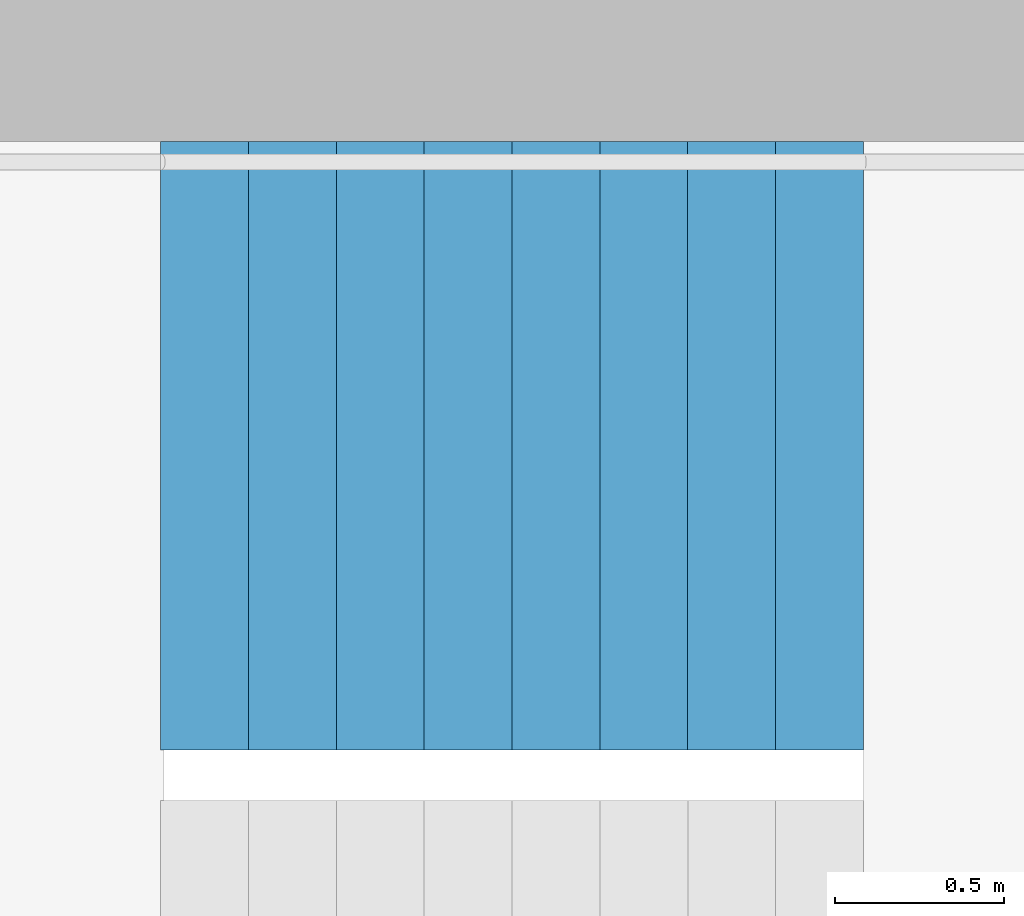
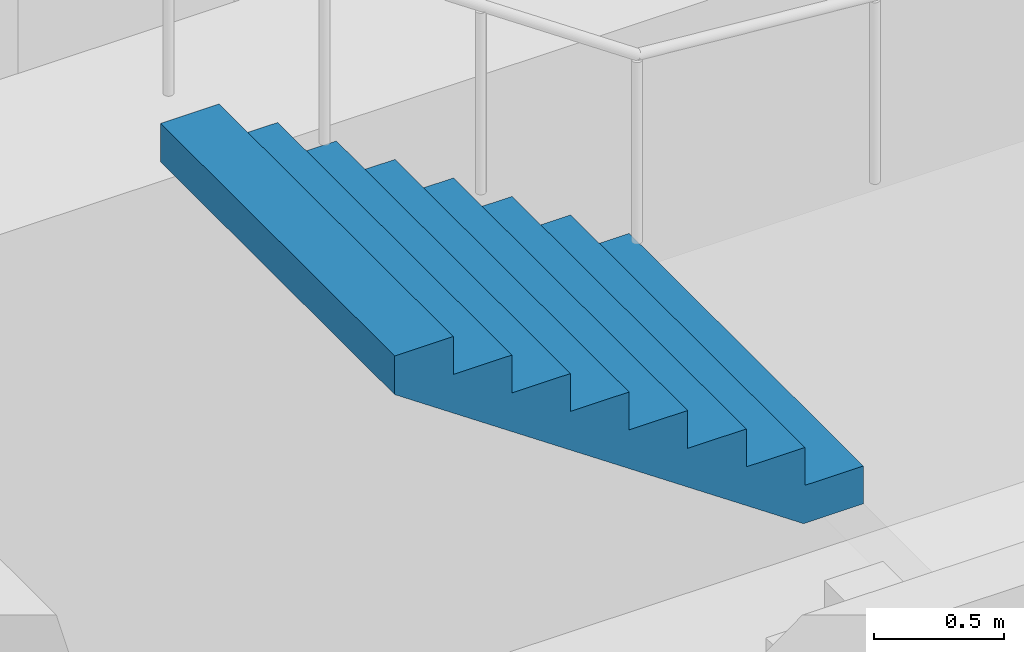
# One storey, part 21 of 26: 1 stair flight, 1 element without a shape of its own.
"""IFC4 building model written with IfcOpenShell, lengths in metres."""

from ifc_helpers import new_model, si_unit, direction, frame, origin, place, context, subcontext, project, spatial, triangles, material, type_object, element, aggregate, save


model = new_model("IFC4")

# Units and contexts
model_context = context("Model", 3, precision=1e-05, world=origin(), true_north=direction((0.0, 1.0)))
body_context = subcontext(model_context, "Body", "Model", "MODEL_VIEW")
ifc_project = project(units=[si_unit("LENGTHUNIT", "METRE"), si_unit("AREAUNIT", "SQUARE_METRE"), si_unit("VOLUMEUNIT", "CUBIC_METRE"), si_unit("PLANEANGLEUNIT", "RADIAN"), si_unit("MASSUNIT", "GRAM", prefix="KILO")], contexts=[model_context])

# Site, building, storey
site_placement = place(None, origin())
site = spatial("IfcSite", under=ifc_project, at=site_placement, CompositionType="ELEMENT")
building_placement = place(site_placement, origin())
building = spatial("IfcBuilding", under=site, at=building_placement, Name="Hakoniwa Tower and Hamabe Station Hall", CompositionType="ELEMENT")
storey_placement = place(building_placement, frame((0.0, 0.0, 209.0)))
storey = spatial("IfcBuildingStorey", under=building, at=storey_placement, Name="L59", CompositionType="ELEMENT", Elevation=209.0)

# Stair, stair flight
ifc_material_1 = material(Name="Concrete C40", Category="concrete")
stair_type = type_object("IfcStairType", Name="ESCAPE STAIR 1800", PredefinedType="HALF_TURN_STAIR", material=ifc_material_1)
stair_placement = place(storey_placement, origin())
stair = element("IfcStair", 1, at=stair_placement, inside=storey, type_object=stair_type, Name="Escape stair ST-1 L59", PredefinedType="HALF_TURN_STAIR")
ifc_material_2 = material(Name="Concrete C40", Category="concrete")
stair_flight_type = type_object("IfcStairFlightType", Name="STAIR FLIGHT 1800", PredefinedType="STRAIGHT", material=ifc_material_2)
stair_flight_placement = place(storey_placement, frame((-22.320068359375, 6.60009765625, 1.60009765625), z_axis=(0.0, 0.0, 1.0), x_axis=(-1.0, 0.0, 0.0)))
stair_flight = element("IfcStairFlight", 2, at=stair_flight_placement, type_object=stair_flight_type, Name="ST-1 flight 2", NumberOfRisers=9, NumberOfTreads=8, PredefinedType="STRAIGHT", RiserHeight=0.177777778, TreadLength=0.26, context=body_context, shape_type="Tessellation", body=[
    triangles([(0.0, 0.89990234375, 0.0), (0.260009765625, 0.89990234375, 0.0), (0.265625, 0.89990234375, 0.0), (0.52001953125, 0.89990234375, 0.174072265625), (0.780029296875, 0.89990234375, 0.351806640625), (1.0400390625, 0.89990234375, 0.529541015625), (1.300048828125, 0.89990234375, 0.707275390625), (1.56005859375, 0.89990234375, 0.885009765625), (1.820068359375, 0.89990234375, 1.062744140625), (2.080078125, 0.89990234375, 1.24072265625), (2.080078125, 0.89990234375, 1.422119140625), (1.820068359375, 0.89990234375, 1.422119140625), (1.820068359375, 0.89990234375, 1.244384765625), (1.56005859375, 0.89990234375, 1.244384765625), (1.56005859375, 0.89990234375, 1.066650390625), (1.300048828125, 0.89990234375, 1.066650390625), (1.300048828125, 0.89990234375, 0.888916015625), (1.0400390625, 0.89990234375, 0.888916015625), (1.0400390625, 0.89990234375, 0.711181640625), (0.780029296875, 0.89990234375, 0.711181640625), (0.780029296875, 0.89990234375, 0.533447265625), (0.52001953125, 0.89990234375, 0.533447265625), (0.52001953125, 0.89990234375, 0.35546875), (0.265625, 0.89990234375, 0.35546875), (0.260009765625, 0.89990234375, 0.35546875), (0.260009765625, 0.89990234375, 0.177734375), (0.0, 0.89990234375, 0.177734375), (0.0, 0.06005859375, 0.0), (0.260009765625, 0.06005859375, 0.0), (0.265625, 0.06005859375, 0.0), (0.52001953125, 0.06005859375, 0.174072265625), (0.780029296875, 0.06005859375, 0.351806640625), (1.0400390625, 0.06005859375, 0.529541015625), (1.300048828125, 0.06005859375, 0.707275390625), (1.56005859375, 0.06005859375, 0.885009765625), (1.820068359375, 0.06005859375, 1.062744140625), (2.080078125, 0.06005859375, 1.24072265625), (2.080078125, 0.06005859375, 1.422119140625), (1.820068359375, 0.06005859375, 1.422119140625), (1.820068359375, 0.06005859375, 1.244384765625), (1.56005859375, 0.06005859375, 1.244384765625), (1.56005859375, 0.06005859375, 1.066650390625), (1.300048828125, 0.06005859375, 1.066650390625), (1.300048828125, 0.06005859375, 0.888916015625), (1.0400390625, 0.06005859375, 0.888916015625), (1.0400390625, 0.06005859375, 0.711181640625), (0.780029296875, 0.06005859375, 0.711181640625), (0.780029296875, 0.06005859375, 0.533447265625), (0.52001953125, 0.06005859375, 0.533447265625), (0.52001953125, 0.06005859375, 0.35546875), (0.265625, 0.06005859375, 0.35546875), (0.260009765625, 0.06005859375, 0.35546875), (0.260009765625, 0.06005859375, 0.177734375), (0.0, 0.06005859375, 0.177734375), (0.0, 0.04296875, 0.0), (0.260009765625, 0.04296875, 0.0), (0.265625, 0.04296875, 0.0), (0.52001953125, 0.04296875, 0.174072265625), (0.780029296875, 0.04296875, 0.351806640625), (1.0400390625, 0.04296875, 0.529541015625), (1.300048828125, 0.04296875, 0.707275390625), (1.56005859375, 0.04296875, 0.885009765625), (1.820068359375, 0.04296875, 1.062744140625), (2.080078125, 0.04296875, 1.24072265625), (2.080078125, 0.04296875, 1.422119140625), (1.820068359375, 0.04296875, 1.422119140625), (1.820068359375, 0.04296875, 1.244384765625), (1.56005859375, 0.04296875, 1.244384765625), (1.56005859375, 0.04296875, 1.066650390625), (1.300048828125, 0.04296875, 1.066650390625), (1.300048828125, 0.04296875, 0.888916015625), (1.0400390625, 0.04296875, 0.888916015625), (1.0400390625, 0.04296875, 0.711181640625), (0.780029296875, 0.04296875, 0.711181640625), (0.780029296875, 0.04296875, 0.533447265625), (0.52001953125, 0.04296875, 0.533447265625), (0.52001953125, 0.04296875, 0.35546875), (0.265625, 0.04296875, 0.35546875), (0.260009765625, 0.04296875, 0.35546875), (0.260009765625, 0.04296875, 0.177734375), (0.0, 0.04296875, 0.177734375), (0.0, 0.025634765625, 0.0), (0.260009765625, 0.025634765625, 0.0), (0.265625, 0.025634765625, 0.0), (0.52001953125, 0.025634765625, 0.174072265625), (0.780029296875, 0.025634765625, 0.351806640625), (1.0400390625, 0.025634765625, 0.529541015625), (1.300048828125, 0.025634765625, 0.707275390625), (1.56005859375, 0.025634765625, 0.885009765625), (1.820068359375, 0.025634765625, 1.062744140625), (2.080078125, 0.025634765625, 1.24072265625), (2.080078125, 0.025634765625, 1.422119140625), (1.820068359375, 0.025634765625, 1.422119140625), (1.820068359375, 0.025634765625, 1.244384765625), (1.56005859375, 0.025634765625, 1.244384765625), (1.56005859375, 0.025634765625, 1.066650390625), (1.300048828125, 0.025634765625, 1.066650390625), (1.300048828125, 0.025634765625, 0.888916015625), (1.0400390625, 0.025634765625, 0.888916015625), (1.0400390625, 0.025634765625, 0.711181640625), (0.780029296875, 0.025634765625, 0.711181640625), (0.780029296875, 0.025634765625, 0.533447265625), (0.52001953125, 0.025634765625, 0.533447265625), (0.52001953125, 0.025634765625, 0.35546875), (0.265625, 0.025634765625, 0.35546875), (0.260009765625, 0.025634765625, 0.35546875), (0.260009765625, 0.025634765625, 0.177734375), (0.0, 0.025634765625, 0.177734375), (0.0, 0.008544921875, 0.0), (0.260009765625, 0.008544921875, 0.0), (0.265625, 0.008544921875, 0.0), (0.52001953125, 0.008544921875, 0.174072265625), (0.780029296875, 0.008544921875, 0.351806640625), (1.0400390625, 0.008544921875, 0.529541015625), (1.300048828125, 0.008544921875, 0.707275390625), (1.56005859375, 0.008544921875, 0.885009765625), (1.820068359375, 0.008544921875, 1.062744140625), (2.080078125, 0.008544921875, 1.24072265625), (2.080078125, 0.008544921875, 1.422119140625), (1.820068359375, 0.008544921875, 1.422119140625), (1.820068359375, 0.008544921875, 1.244384765625), (1.56005859375, 0.008544921875, 1.244384765625), (1.56005859375, 0.008544921875, 1.066650390625), (1.300048828125, 0.008544921875, 1.066650390625), (1.300048828125, 0.008544921875, 0.888916015625), (1.0400390625, 0.008544921875, 0.888916015625), (1.0400390625, 0.008544921875, 0.711181640625), (0.780029296875, 0.008544921875, 0.711181640625), (0.780029296875, 0.008544921875, 0.533447265625), (0.52001953125, 0.008544921875, 0.533447265625), (0.52001953125, 0.008544921875, 0.35546875), (0.265625, 0.008544921875, 0.35546875), (0.260009765625, 0.008544921875, 0.35546875), (0.260009765625, 0.008544921875, 0.177734375), (0.0, 0.008544921875, 0.177734375), (0.0, -0.008544921875, 0.0), (0.260009765625, -0.008544921875, 0.0), (0.265625, -0.008544921875, 0.0), (0.52001953125, -0.008544921875, 0.174072265625), (0.780029296875, -0.008544921875, 0.351806640625), (1.0400390625, -0.008544921875, 0.529541015625), (1.300048828125, -0.008544921875, 0.707275390625), (1.56005859375, -0.008544921875, 0.885009765625), (1.820068359375, -0.008544921875, 1.062744140625), (2.080078125, -0.008544921875, 1.24072265625), (2.080078125, -0.008544921875, 1.422119140625), (1.820068359375, -0.008544921875, 1.422119140625), (1.820068359375, -0.008544921875, 1.244384765625), (1.56005859375, -0.008544921875, 1.244384765625), (1.56005859375, -0.008544921875, 1.066650390625), (1.300048828125, -0.008544921875, 1.066650390625), (1.300048828125, -0.008544921875, 0.888916015625), (1.0400390625, -0.008544921875, 0.888916015625), (1.0400390625, -0.008544921875, 0.711181640625), (0.780029296875, -0.008544921875, 0.711181640625), (0.780029296875, -0.008544921875, 0.533447265625), (0.52001953125, -0.008544921875, 0.533447265625), (0.52001953125, -0.008544921875, 0.35546875), (0.265625, -0.008544921875, 0.35546875), (0.260009765625, -0.008544921875, 0.35546875), (0.260009765625, -0.008544921875, 0.177734375), (0.0, -0.008544921875, 0.177734375), (0.0, -0.025634765625, 0.0), (0.260009765625, -0.025634765625, 0.0), (0.265625, -0.025634765625, 0.0), (0.52001953125, -0.025634765625, 0.174072265625), (0.780029296875, -0.025634765625, 0.351806640625), (1.0400390625, -0.025634765625, 0.529541015625), (1.300048828125, -0.025634765625, 0.707275390625), (1.56005859375, -0.025634765625, 0.885009765625), (1.820068359375, -0.025634765625, 1.062744140625), (2.080078125, -0.025634765625, 1.24072265625), (2.080078125, -0.025634765625, 1.422119140625), (1.820068359375, -0.025634765625, 1.422119140625), (1.820068359375, -0.025634765625, 1.244384765625), (1.56005859375, -0.025634765625, 1.244384765625), (1.56005859375, -0.025634765625, 1.066650390625), (1.300048828125, -0.025634765625, 1.066650390625), (1.300048828125, -0.025634765625, 0.888916015625), (1.0400390625, -0.025634765625, 0.888916015625), (1.0400390625, -0.025634765625, 0.711181640625), (0.780029296875, -0.025634765625, 0.711181640625), (0.780029296875, -0.025634765625, 0.533447265625), (0.52001953125, -0.025634765625, 0.533447265625), (0.52001953125, -0.025634765625, 0.35546875), (0.265625, -0.025634765625, 0.35546875), (0.260009765625, -0.025634765625, 0.35546875), (0.260009765625, -0.025634765625, 0.177734375), (0.0, -0.025634765625, 0.177734375), (0.0, -0.04296875, 0.0), (0.260009765625, -0.04296875, 0.0), (0.265625, -0.04296875, 0.0), (0.52001953125, -0.04296875, 0.174072265625), (0.780029296875, -0.04296875, 0.351806640625), (1.0400390625, -0.04296875, 0.529541015625), (1.300048828125, -0.04296875, 0.707275390625), (1.56005859375, -0.04296875, 0.885009765625), (1.820068359375, -0.04296875, 1.062744140625), (2.080078125, -0.04296875, 1.24072265625), (2.080078125, -0.04296875, 1.422119140625), (1.820068359375, -0.04296875, 1.422119140625), (1.820068359375, -0.04296875, 1.244384765625), (1.56005859375, -0.04296875, 1.244384765625), (1.56005859375, -0.04296875, 1.066650390625), (1.300048828125, -0.04296875, 1.066650390625), (1.300048828125, -0.04296875, 0.888916015625), (1.0400390625, -0.04296875, 0.888916015625), (1.0400390625, -0.04296875, 0.711181640625), (0.780029296875, -0.04296875, 0.711181640625), (0.780029296875, -0.04296875, 0.533447265625), (0.52001953125, -0.04296875, 0.533447265625), (0.52001953125, -0.04296875, 0.35546875), (0.265625, -0.04296875, 0.35546875), (0.260009765625, -0.04296875, 0.35546875), (0.260009765625, -0.04296875, 0.177734375), (0.0, -0.04296875, 0.177734375), (0.0, -0.06005859375, 0.0), (0.260009765625, -0.06005859375, 0.0), (0.265625, -0.06005859375, 0.0), (0.52001953125, -0.06005859375, 0.174072265625), (0.780029296875, -0.06005859375, 0.351806640625), (1.0400390625, -0.06005859375, 0.529541015625), (1.300048828125, -0.06005859375, 0.707275390625), (1.56005859375, -0.06005859375, 0.885009765625), (1.820068359375, -0.06005859375, 1.062744140625), (2.080078125, -0.06005859375, 1.24072265625), (2.080078125, -0.06005859375, 1.422119140625), (1.820068359375, -0.06005859375, 1.422119140625), (1.820068359375, -0.06005859375, 1.244384765625), (1.56005859375, -0.06005859375, 1.244384765625), (1.56005859375, -0.06005859375, 1.066650390625), (1.300048828125, -0.06005859375, 1.066650390625), (1.300048828125, -0.06005859375, 0.888916015625), (1.0400390625, -0.06005859375, 0.888916015625), (1.0400390625, -0.06005859375, 0.711181640625), (0.780029296875, -0.06005859375, 0.711181640625), (0.780029296875, -0.06005859375, 0.533447265625), (0.52001953125, -0.06005859375, 0.533447265625), (0.52001953125, -0.06005859375, 0.35546875), (0.265625, -0.06005859375, 0.35546875), (0.260009765625, -0.06005859375, 0.35546875), (0.260009765625, -0.06005859375, 0.177734375), (0.0, -0.06005859375, 0.177734375), (0.0, -0.89990234375, 0.0), (0.260009765625, -0.89990234375, 0.0), (0.265625, -0.89990234375, 0.0), (0.52001953125, -0.89990234375, 0.174072265625), (0.780029296875, -0.89990234375, 0.351806640625), (1.0400390625, -0.89990234375, 0.529541015625), (1.300048828125, -0.89990234375, 0.707275390625), (1.56005859375, -0.89990234375, 0.885009765625), (1.820068359375, -0.89990234375, 1.062744140625), (2.080078125, -0.89990234375, 1.24072265625), (2.080078125, -0.89990234375, 1.422119140625), (1.820068359375, -0.89990234375, 1.422119140625), (1.820068359375, -0.89990234375, 1.244384765625), (1.56005859375, -0.89990234375, 1.244384765625), (1.56005859375, -0.89990234375, 1.066650390625), (1.300048828125, -0.89990234375, 1.066650390625), (1.300048828125, -0.89990234375, 0.888916015625), (1.0400390625, -0.89990234375, 0.888916015625), (1.0400390625, -0.89990234375, 0.711181640625), (0.780029296875, -0.89990234375, 0.711181640625), (0.780029296875, -0.89990234375, 0.533447265625), (0.52001953125, -0.89990234375, 0.533447265625), (0.52001953125, -0.89990234375, 0.35546875), (0.265625, -0.89990234375, 0.35546875), (0.260009765625, -0.89990234375, 0.35546875), (0.260009765625, -0.89990234375, 0.177734375), (0.0, -0.89990234375, 0.177734375)], [[2, 27, 26], [245, 269, 270], [2, 1, 27], [245, 270, 244], [3, 25, 24], [246, 267, 268], [3, 26, 25], [246, 268, 269], [3, 2, 26], [246, 269, 245], [4, 24, 23], [247, 266, 267], [4, 3, 24], [247, 267, 246], [5, 22, 21], [248, 264, 265], [5, 23, 22], [248, 265, 266], [5, 4, 23], [248, 266, 247], [6, 20, 19], [249, 262, 263], [6, 21, 20], [249, 263, 264], [6, 5, 21], [249, 264, 248], [7, 18, 17], [250, 260, 261], [7, 19, 18], [250, 261, 262], [7, 6, 19], [250, 262, 249], [8, 16, 15], [251, 258, 259], [8, 17, 16], [251, 259, 260], [8, 7, 17], [251, 260, 250], [9, 14, 13], [252, 256, 257], [9, 15, 14], [252, 257, 258], [9, 8, 15], [252, 258, 251], [10, 12, 11], [253, 254, 255], [10, 13, 12], [253, 255, 256], [10, 9, 13], [253, 256, 252], [1, 2, 29], [1, 29, 28], [28, 29, 56], [28, 56, 55], [55, 56, 83], [55, 83, 82], [82, 83, 110], [82, 110, 109], [109, 110, 137], [109, 137, 136], [136, 137, 164], [136, 164, 163], [163, 164, 191], [163, 191, 190], [190, 191, 218], [190, 218, 217], [217, 218, 245], [217, 245, 244], [2, 3, 30], [2, 30, 29], [29, 30, 57], [29, 57, 56], [56, 57, 84], [56, 84, 83], [83, 84, 111], [83, 111, 110], [110, 111, 138], [110, 138, 137], [137, 138, 165], [137, 165, 164], [164, 165, 192], [164, 192, 191], [191, 192, 219], [191, 219, 218], [218, 219, 246], [218, 246, 245], [3, 4, 31], [3, 31, 30], [30, 31, 58], [30, 58, 57], [57, 58, 85], [57, 85, 84], [84, 85, 112], [84, 112, 111], [111, 112, 139], [111, 139, 138], [138, 139, 166], [138, 166, 165], [165, 166, 193], [165, 193, 192], [192, 193, 220], [192, 220, 219], [219, 220, 247], [219, 247, 246], [4, 5, 32], [4, 32, 31], [31, 32, 59], [31, 59, 58], [58, 59, 86], [58, 86, 85], [85, 86, 113], [85, 113, 112], [112, 113, 140], [112, 140, 139], [139, 140, 167], [139, 167, 166], [166, 167, 194], [166, 194, 193], [193, 194, 221], [193, 221, 220], [220, 221, 248], [220, 248, 247], [5, 6, 33], [5, 33, 32], [32, 33, 60], [32, 60, 59], [59, 60, 87], [59, 87, 86], [86, 87, 114], [86, 114, 113], [113, 114, 141], [113, 141, 140], [140, 141, 168], [140, 168, 167], [167, 168, 195], [167, 195, 194], [194, 195, 222], [194, 222, 221], [221, 222, 249], [221, 249, 248], [6, 7, 34], [6, 34, 33], [33, 34, 61], [33, 61, 60], [60, 61, 88], [60, 88, 87], [87, 88, 115], [87, 115, 114], [114, 115, 142], [114, 142, 141], [141, 142, 169], [141, 169, 168], [168, 169, 196], [168, 196, 195], [195, 196, 223], [195, 223, 222], [222, 223, 250], [222, 250, 249], [7, 8, 35], [7, 35, 34], [34, 35, 62], [34, 62, 61], [61, 62, 89], [61, 89, 88], [88, 89, 116], [88, 116, 115], [115, 116, 143], [115, 143, 142], [142, 143, 170], [142, 170, 169], [169, 170, 197], [169, 197, 196], [196, 197, 224], [196, 224, 223], [223, 224, 251], [223, 251, 250], [8, 9, 36], [8, 36, 35], [35, 36, 63], [35, 63, 62], [62, 63, 90], [62, 90, 89], [89, 90, 117], [89, 117, 116], [116, 117, 144], [116, 144, 143], [143, 144, 171], [143, 171, 170], [170, 171, 198], [170, 198, 197], [197, 198, 225], [197, 225, 224], [224, 225, 252], [224, 252, 251], [9, 10, 37], [9, 37, 36], [36, 37, 64], [36, 64, 63], [63, 64, 91], [63, 91, 90], [90, 91, 118], [90, 118, 117], [117, 118, 145], [117, 145, 144], [144, 145, 172], [144, 172, 171], [171, 172, 199], [171, 199, 198], [198, 199, 226], [198, 226, 225], [225, 226, 253], [225, 253, 252], [10, 11, 38], [10, 38, 37], [37, 38, 65], [37, 65, 64], [64, 65, 92], [64, 92, 91], [91, 92, 119], [91, 119, 118], [118, 119, 146], [118, 146, 145], [145, 146, 173], [145, 173, 172], [172, 173, 200], [172, 200, 199], [199, 200, 227], [199, 227, 226], [226, 227, 254], [226, 254, 253], [11, 12, 39], [11, 39, 38], [38, 39, 66], [38, 66, 65], [65, 66, 93], [65, 93, 92], [92, 93, 120], [92, 120, 119], [119, 120, 147], [119, 147, 146], [146, 147, 174], [146, 174, 173], [173, 174, 201], [173, 201, 200], [200, 201, 228], [200, 228, 227], [227, 228, 255], [227, 255, 254], [12, 13, 40], [12, 40, 39], [39, 40, 67], [39, 67, 66], [66, 67, 94], [66, 94, 93], [93, 94, 121], [93, 121, 120], [120, 121, 148], [120, 148, 147], [147, 148, 175], [147, 175, 174], [174, 175, 202], [174, 202, 201], [201, 202, 229], [201, 229, 228], [228, 229, 256], [228, 256, 255], [13, 14, 41], [13, 41, 40], [40, 41, 68], [40, 68, 67], [67, 68, 95], [67, 95, 94], [94, 95, 122], [94, 122, 121], [121, 122, 149], [121, 149, 148], [148, 149, 176], [148, 176, 175], [175, 176, 203], [175, 203, 202], [202, 203, 230], [202, 230, 229], [229, 230, 257], [229, 257, 256], [14, 15, 42], [14, 42, 41], [41, 42, 69], [41, 69, 68], [68, 69, 96], [68, 96, 95], [95, 96, 123], [95, 123, 122], [122, 123, 150], [122, 150, 149], [149, 150, 177], [149, 177, 176], [176, 177, 204], [176, 204, 203], [203, 204, 231], [203, 231, 230], [230, 231, 258], [230, 258, 257], [15, 16, 43], [15, 43, 42], [42, 43, 70], [42, 70, 69], [69, 70, 97], [69, 97, 96], [96, 97, 124], [96, 124, 123], [123, 124, 151], [123, 151, 150], [150, 151, 178], [150, 178, 177], [177, 178, 205], [177, 205, 204], [204, 205, 232], [204, 232, 231], [231, 232, 259], [231, 259, 258], [16, 17, 44], [16, 44, 43], [43, 44, 71], [43, 71, 70], [70, 71, 98], [70, 98, 97], [97, 98, 125], [97, 125, 124], [124, 125, 152], [124, 152, 151], [151, 152, 179], [151, 179, 178], [178, 179, 206], [178, 206, 205], [205, 206, 233], [205, 233, 232], [232, 233, 260], [232, 260, 259], [17, 18, 45], [17, 45, 44], [44, 45, 72], [44, 72, 71], [71, 72, 99], [71, 99, 98], [98, 99, 126], [98, 126, 125], [125, 126, 153], [125, 153, 152], [152, 153, 180], [152, 180, 179], [179, 180, 207], [179, 207, 206], [206, 207, 234], [206, 234, 233], [233, 234, 261], [233, 261, 260], [18, 19, 46], [18, 46, 45], [45, 46, 73], [45, 73, 72], [72, 73, 100], [72, 100, 99], [99, 100, 127], [99, 127, 126], [126, 127, 154], [126, 154, 153], [153, 154, 181], [153, 181, 180], [180, 181, 208], [180, 208, 207], [207, 208, 235], [207, 235, 234], [234, 235, 262], [234, 262, 261], [19, 20, 47], [19, 47, 46], [46, 47, 74], [46, 74, 73], [73, 74, 101], [73, 101, 100], [100, 101, 128], [100, 128, 127], [127, 128, 155], [127, 155, 154], [154, 155, 182], [154, 182, 181], [181, 182, 209], [181, 209, 208], [208, 209, 236], [208, 236, 235], [235, 236, 263], [235, 263, 262], [20, 21, 48], [20, 48, 47], [47, 48, 75], [47, 75, 74], [74, 75, 102], [74, 102, 101], [101, 102, 129], [101, 129, 128], [128, 129, 156], [128, 156, 155], [155, 156, 183], [155, 183, 182], [182, 183, 210], [182, 210, 209], [209, 210, 237], [209, 237, 236], [236, 237, 264], [236, 264, 263], [21, 22, 49], [21, 49, 48], [48, 49, 76], [48, 76, 75], [75, 76, 103], [75, 103, 102], [102, 103, 130], [102, 130, 129], [129, 130, 157], [129, 157, 156], [156, 157, 184], [156, 184, 183], [183, 184, 211], [183, 211, 210], [210, 211, 238], [210, 238, 237], [237, 238, 265], [237, 265, 264], [22, 23, 50], [22, 50, 49], [49, 50, 77], [49, 77, 76], [76, 77, 104], [76, 104, 103], [103, 104, 131], [103, 131, 130], [130, 131, 158], [130, 158, 157], [157, 158, 185], [157, 185, 184], [184, 185, 212], [184, 212, 211], [211, 212, 239], [211, 239, 238], [238, 239, 266], [238, 266, 265], [23, 24, 51], [23, 51, 50], [50, 51, 78], [50, 78, 77], [77, 78, 105], [77, 105, 104], [104, 105, 132], [104, 132, 131], [131, 132, 159], [131, 159, 158], [158, 159, 186], [158, 186, 185], [185, 186, 213], [185, 213, 212], [212, 213, 240], [212, 240, 239], [239, 240, 267], [239, 267, 266], [24, 25, 52], [24, 52, 51], [51, 52, 79], [51, 79, 78], [78, 79, 106], [78, 106, 105], [105, 106, 133], [105, 133, 132], [132, 133, 160], [132, 160, 159], [159, 160, 187], [159, 187, 186], [186, 187, 214], [186, 214, 213], [213, 214, 241], [213, 241, 240], [240, 241, 268], [240, 268, 267], [25, 26, 53], [25, 53, 52], [52, 53, 80], [52, 80, 79], [79, 80, 107], [79, 107, 106], [106, 107, 134], [106, 134, 133], [133, 134, 161], [133, 161, 160], [160, 161, 188], [160, 188, 187], [187, 188, 215], [187, 215, 214], [214, 215, 242], [214, 242, 241], [241, 242, 269], [241, 269, 268], [26, 27, 54], [26, 54, 53], [53, 54, 81], [53, 81, 80], [80, 81, 108], [80, 108, 107], [107, 108, 135], [107, 135, 134], [134, 135, 162], [134, 162, 161], [161, 162, 189], [161, 189, 188], [188, 189, 216], [188, 216, 215], [215, 216, 243], [215, 243, 242], [242, 243, 270], [242, 270, 269], [27, 1, 28], [27, 28, 54], [54, 28, 55], [54, 55, 81], [81, 55, 82], [81, 82, 108], [108, 82, 109], [108, 109, 135], [135, 109, 136], [135, 136, 162], [162, 136, 163], [162, 163, 189], [189, 163, 190], [189, 190, 216], [216, 190, 217], [216, 217, 243], [243, 217, 244], [243, 244, 270]], closed=True),
])
aggregate(stair, [stair_flight])

save(model, "model.ifc")
